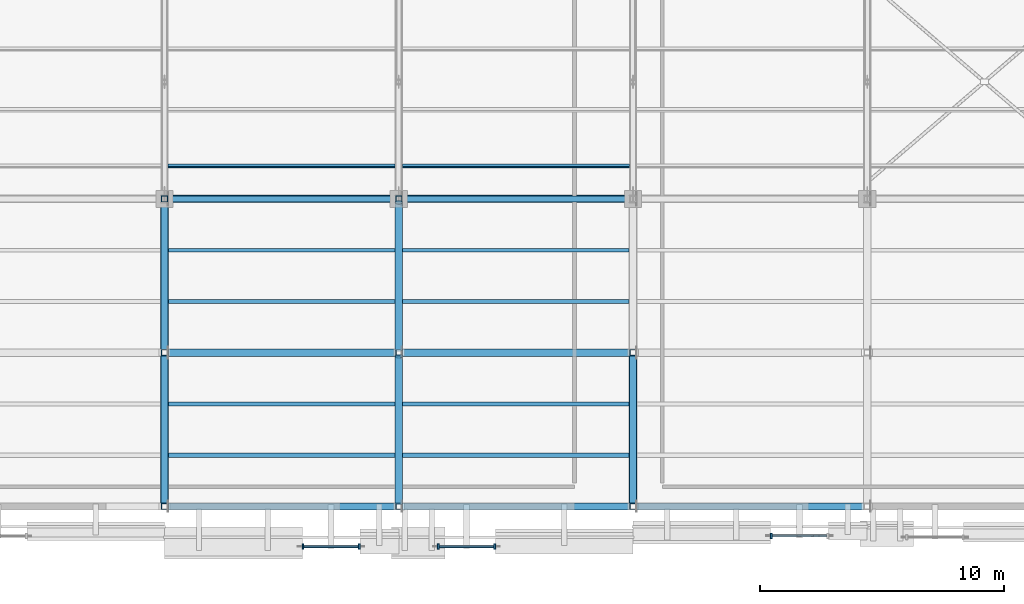
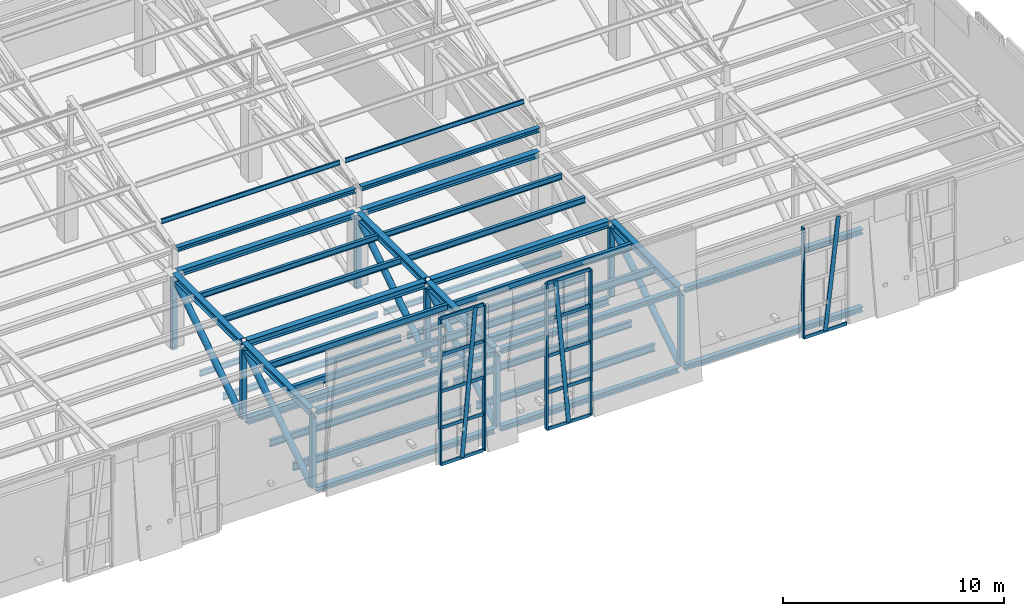
# One storey, part 15 of 71: 39 members, 30 beams, 3 elements without a shape of their own.
"""IFC4 building model written with IfcOpenShell, lengths in metres."""

from ifc_helpers import new_model, si_unit, direction, frame, origin, origin_2d, place, context, subcontext, project, spatial, rectangle, hollow_rectangle, hollow_circle, i_section, extrude, material, layer, layer_set, material_profile, profile_set, type_object, element, aggregate, save


model = new_model("IFC4")

# Units and contexts
model_context = context("Model", 3, precision=1e-05, world=origin(), true_north=direction((0.0, 1.0)))
body_context = subcontext(model_context, "Body", "Model", "MODEL_VIEW")
ifc_project = project(units=[si_unit("LENGTHUNIT", "METRE"), si_unit("AREAUNIT", "SQUARE_METRE"), si_unit("VOLUMEUNIT", "CUBIC_METRE"), si_unit("PLANEANGLEUNIT", "RADIAN"), si_unit("MASSUNIT", "GRAM", prefix="KILO")], contexts=[model_context])

# Site, building, storey
site_placement = place(None, origin())
site = spatial("IfcSite", under=ifc_project, at=site_placement, CompositionType="ELEMENT")
building_placement = place(site_placement, origin())
building = spatial("IfcBuilding", under=site, at=building_placement, Name="Bempovik Park Faculty of Sciences", CompositionType="ELEMENT")
storey_placement = place(building_placement, frame((0.0, 0.0, 14.10009765625)))
storey = spatial("IfcBuildingStorey", under=building, at=storey_placement, Name="L03", CompositionType="ELEMENT", Elevation=14.10009765625)

# Beams
ifc_material_1 = material(Name="Steel S355", Category="steel")
ifc_material_profile_1 = material_profile(ifc_material_1, i_section(OverallWidth=0.300048828125, OverallDepth=0.320068359375, WebThickness=0.011474609375, FlangeThickness=0.0205078125, at=origin_2d()), Name="HEB 320")
ifc_profile_set_1 = profile_set([ifc_material_profile_1], Name="Steel S355")
beam_type_1 = type_object("IfcBeamType", Name="B-018 HEB 320", PredefinedType="BEAM", material=ifc_profile_set_1)
beam_1_placement = place(storey_placement, frame((79.35595703125, 19.800048828125, 3.81982421875), z_axis=(1.0, 0.0, 0.0), x_axis=(0.0, 1.0, 0.0)))
element("IfcBeam", 1, at=beam_1_placement, inside=storey, type_object=beam_type_1, Name="Cantilever Collector Beam APR (79.2-88.8, y=19.8)", PredefinedType="BEAM", context=body_context, shape_type="SweptSolid", body=[
    extrude(i_section(OverallWidth=0.300048828125, OverallDepth=0.320068359375, WebThickness=0.011474609375, FlangeThickness=0.0205078125, at=origin_2d()), origin(), (0.0, 0.0, 1.0), 9.2880859375),
])
beam_2_placement = place(storey_placement, frame((88.9560546875, 19.800048828125, 3.81982421875), z_axis=(1.0, 0.0, 0.0), x_axis=(0.0, 1.0, 0.0)))
element("IfcBeam", 2, at=beam_2_placement, inside=storey, type_object=beam_type_1, Name="Cantilever Collector Beam APR (88.8-98.4, y=19.8)", PredefinedType="BEAM", context=body_context, shape_type="SweptSolid", body=[
    extrude(i_section(OverallWidth=0.300048828125, OverallDepth=0.320068359375, WebThickness=0.011474609375, FlangeThickness=0.0205078125, at=origin_2d()), origin(), (0.0, 0.0, 1.0), 9.287841796875),
])
ifc_material_profile_2 = material_profile(ifc_material_1, i_section(OverallWidth=0.239990234375, OverallDepth=0.239990234375, WebThickness=0.010009765625, FlangeThickness=0.01708984375, at=origin_2d()), Name="HEB 240")
ifc_profile_set_2 = profile_set([ifc_material_profile_2], Name="Steel S355")
beam_type_2 = type_object("IfcBeamType", Name="B-042 HEB 240", PredefinedType="BEAM", material=ifc_profile_set_2)
beam_3_placement = place(storey_placement, frame((79.35009765625, 19.800048828125, 5.14990234375), z_axis=(1.0, 0.0, 0.0), x_axis=(0.0, 1.0, 0.0)))
element("IfcBeam", 3, at=beam_3_placement, inside=storey, type_object=beam_type_2, Name="Sawtooth Valley Tie Beam V1-B1 (79.2-88.8)", PredefinedType="BEAM", context=body_context, shape_type="SweptSolid", body=[
    extrude(i_section(OverallWidth=0.239990234375, OverallDepth=0.239990234375, WebThickness=0.010009765625, FlangeThickness=0.01708984375, at=origin_2d()), origin(), (0.0, 0.0, 1.0), 9.2998046875),
])
beam_4_placement = place(storey_placement, frame((88.949951171875, 19.800048828125, 5.14990234375), z_axis=(1.0, 0.0, 0.0), x_axis=(0.0, 1.0, 0.0)))
element("IfcBeam", 4, at=beam_4_placement, inside=storey, type_object=beam_type_2, Name="Sawtooth Valley Tie Beam V1-B1 (88.8-98.4)", PredefinedType="BEAM", context=body_context, shape_type="SweptSolid", body=[
    extrude(i_section(OverallWidth=0.239990234375, OverallDepth=0.239990234375, WebThickness=0.010009765625, FlangeThickness=0.01708984375, at=origin_2d()), origin(), (0.0, 0.0, 1.0), 9.300048828125),
])
ifc_material_profile_3 = material_profile(ifc_material_1, i_section(OverallWidth=0.14990234375, OverallDepth=0.300048828125, WebThickness=0.007080078125, FlangeThickness=0.0107421875, at=origin_2d()), Name="IPE 300")
ifc_profile_set_3 = profile_set([ifc_material_profile_3], Name="Steel S355")
beam_type_3 = type_object("IfcBeamType", Name="B-043 IPE 300", PredefinedType="JOIST", material=ifc_profile_set_3)
for number, where, z_axis, x_axis, name in (
    (5, (79.35595703125, 17.699951171875, -0.4501953125), (1.0, 0.0, 0.0), (0.0, 1.0, 0.0), "Cantilever Floor Joist L03 (79.2-88.8, y=17.7)"),
    (6, (79.35595703125, 17.699951171875, 3.829833984375), (1.0, 0.0, 0.0), (0.0, 1.0, 0.0), "Cantilever Floor Joist APR (79.2-88.8, y=17.7)"),
):
    element("IfcBeam", number, at=place(storey_placement, frame(where, z_axis=z_axis, x_axis=x_axis)), inside=storey, type_object=beam_type_3, Name=name, PredefinedType="JOIST", context=body_context, shape_type="SweptSolid", body=[
        extrude(i_section(OverallWidth=0.14990234375, OverallDepth=0.300048828125, WebThickness=0.007080078125, FlangeThickness=0.0107421875, at=origin_2d()), origin(), (0.0, 0.0, 1.0), 9.2880859375),
    ])
for number, where, z_axis, x_axis, name in (
    (7, (88.9560546875, 17.699951171875, -0.4501953125), (1.0, 0.0, 0.0), (0.0, 1.0, 0.0), "Cantilever Floor Joist L03 (88.8-98.4, y=17.7)"),
    (8, (88.9560546875, 17.699951171875, 3.829833984375), (1.0, 0.0, 0.0), (0.0, 1.0, 0.0), "Cantilever Floor Joist APR (88.8-98.4, y=17.7)"),
):
    element("IfcBeam", number, at=place(storey_placement, frame(where, z_axis=z_axis, x_axis=x_axis)), inside=storey, type_object=beam_type_3, Name=name, PredefinedType="JOIST", context=body_context, shape_type="SweptSolid", body=[
        extrude(i_section(OverallWidth=0.14990234375, OverallDepth=0.300048828125, WebThickness=0.007080078125, FlangeThickness=0.0107421875, at=origin_2d()), origin(), (0.0, 0.0, 1.0), 9.287841796875),
    ])
ifc_material_profile_4 = material_profile(ifc_material_1, i_section(OverallWidth=0.300048828125, OverallDepth=0.360107421875, WebThickness=0.012451171875, FlangeThickness=0.0224609375, at=origin_2d()), Name="HEB 360")
ifc_profile_set_4 = profile_set([ifc_material_profile_4], Name="Steel S355")
beam_type_4 = type_object("IfcBeamType", Name="B-102 HEB 360", PredefinedType="BEAM", material=ifc_profile_set_4)
for number, where, z_axis, x_axis, name in (
    (9, (79.35595703125, 13.5, -0.47998046875), (1.0, 0.0, 0.0), (0.0, 1.0, 0.0), "Cantilever Collector Beam L03 (79.2-88.8, y=13.5)"),
    (10, (79.35595703125, 13.5, 3.7998046875), (1.0, 0.0, 0.0), (0.0, 1.0, 0.0), "Cantilever Collector Beam APR (79.2-88.8, y=13.5)"),
):
    element("IfcBeam", number, at=place(storey_placement, frame(where, z_axis=z_axis, x_axis=x_axis)), inside=storey, type_object=beam_type_4, Name=name, PredefinedType="BEAM", context=body_context, shape_type="SweptSolid", body=[
        extrude(i_section(OverallWidth=0.300048828125, OverallDepth=0.360107421875, WebThickness=0.012451171875, FlangeThickness=0.0224609375, at=origin_2d()), origin(), (0.0, 0.0, 1.0), 9.2880859375),
    ])
for number, where, z_axis, x_axis, name in (
    (11, (88.9560546875, 13.5, -0.47998046875), (1.0, 0.0, 0.0), (0.0, 1.0, 0.0), "Cantilever Collector Beam L03 (88.8-98.4, y=13.5)"),
    (12, (88.9560546875, 13.5, 3.7998046875), (1.0, 0.0, 0.0), (0.0, 1.0, 0.0), "Cantilever Collector Beam APR (88.8-98.4, y=13.5)"),
):
    element("IfcBeam", number, at=place(storey_placement, frame(where, z_axis=z_axis, x_axis=x_axis)), inside=storey, type_object=beam_type_4, Name=name, PredefinedType="BEAM", context=body_context, shape_type="SweptSolid", body=[
        extrude(i_section(OverallWidth=0.300048828125, OverallDepth=0.360107421875, WebThickness=0.012451171875, FlangeThickness=0.0224609375, at=origin_2d()), origin(), (0.0, 0.0, 1.0), 9.287841796875),
    ])
ifc_material_profile_5 = material_profile(ifc_material_1, i_section(OverallWidth=0.169921875, OverallDepth=0.360107421875, WebThickness=0.008056640625, FlangeThickness=0.0126953125, at=origin_2d()), Name="IPE 360")
ifc_profile_set_5 = profile_set([ifc_material_profile_5], Name="Steel S355")
beam_type_5 = type_object("IfcBeamType", Name="B-103 IPE 360", PredefinedType="JOIST", material=ifc_profile_set_5)
for number, where, z_axis, x_axis, name in (
    (13, (79.35595703125, 11.39990234375, -0.47998046875), (1.0, 0.0, 0.0), (0.0, 1.0, 0.0), "Cantilever Floor Joist L03 (79.2-88.8, y=11.4)"),
    (14, (79.35595703125, 11.39990234375, 3.7998046875), (1.0, 0.0, 0.0), (0.0, 1.0, 0.0), "Cantilever Floor Joist APR (79.2-88.8, y=11.4)"),
):
    element("IfcBeam", number, at=place(storey_placement, frame(where, z_axis=z_axis, x_axis=x_axis)), inside=storey, type_object=beam_type_5, Name=name, PredefinedType="JOIST", context=body_context, shape_type="SweptSolid", body=[
        extrude(i_section(OverallWidth=0.169921875, OverallDepth=0.360107421875, WebThickness=0.008056640625, FlangeThickness=0.0126953125, at=origin_2d()), origin(), (0.0, 0.0, 1.0), 9.2880859375),
    ])
for number, where, z_axis, x_axis, name in (
    (15, (88.9560546875, 11.39990234375, -0.47998046875), (1.0, 0.0, 0.0), (0.0, 1.0, 0.0), "Cantilever Floor Joist L03 (88.8-98.4, y=11.4)"),
    (16, (88.9560546875, 11.39990234375, 3.7998046875), (1.0, 0.0, 0.0), (0.0, 1.0, 0.0), "Cantilever Floor Joist APR (88.8-98.4, y=11.4)"),
):
    element("IfcBeam", number, at=place(storey_placement, frame(where, z_axis=z_axis, x_axis=x_axis)), inside=storey, type_object=beam_type_5, Name=name, PredefinedType="JOIST", context=body_context, shape_type="SweptSolid", body=[
        extrude(i_section(OverallWidth=0.169921875, OverallDepth=0.360107421875, WebThickness=0.008056640625, FlangeThickness=0.0126953125, at=origin_2d()), origin(), (0.0, 0.0, 1.0), 9.287841796875),
    ])
ifc_material_profile_6 = material_profile(ifc_material_1, i_section(OverallWidth=0.179931640625, OverallDepth=0.39990234375, WebThickness=0.008544921875, FlangeThickness=0.013427734375, at=origin_2d()), Name="IPE 400")
ifc_profile_set_6 = profile_set([ifc_material_profile_6], Name="Steel S355")
beam_type_6 = type_object("IfcBeamType", Name="B-111 IPE 400", PredefinedType="BEAM", material=ifc_profile_set_6)
for number, where, z_axis, x_axis, name in (
    (17, (79.35595703125, 9.300048828125, -0.5), (1.0, 0.0, 0.0), (0.0, 1.0, 0.0), "Cantilever Floor Joist L03 (79.2-88.8, y=9.3)"),
    (18, (79.35595703125, 9.300048828125, 3.77978515625), (1.0, 0.0, 0.0), (0.0, 1.0, 0.0), "Cantilever Floor Joist APR (79.2-88.8, y=9.3)"),
):
    element("IfcBeam", number, at=place(storey_placement, frame(where, z_axis=z_axis, x_axis=x_axis)), inside=storey, type_object=beam_type_6, Name=name, PredefinedType="BEAM", context=body_context, shape_type="SweptSolid", body=[
        extrude(i_section(OverallWidth=0.179931640625, OverallDepth=0.39990234375, WebThickness=0.008544921875, FlangeThickness=0.013427734375, at=origin_2d()), origin(), (0.0, 0.0, 1.0), 9.2880859375),
    ])
for number, where, z_axis, x_axis, name in (
    (19, (88.9560546875, 9.300048828125, -0.5), (1.0, 0.0, 0.0), (0.0, 1.0, 0.0), "Cantilever Floor Joist L03 (88.8-98.4, y=9.3)"),
    (20, (88.9560546875, 9.300048828125, 3.77978515625), (1.0, 0.0, 0.0), (0.0, 1.0, 0.0), "Cantilever Floor Joist APR (88.8-98.4, y=9.3)"),
):
    element("IfcBeam", number, at=place(storey_placement, frame(where, z_axis=z_axis, x_axis=x_axis)), inside=storey, type_object=beam_type_6, Name=name, PredefinedType="BEAM", context=body_context, shape_type="SweptSolid", body=[
        extrude(i_section(OverallWidth=0.179931640625, OverallDepth=0.39990234375, WebThickness=0.008544921875, FlangeThickness=0.013427734375, at=origin_2d()), origin(), (0.0, 0.0, 1.0), 9.287841796875),
    ])
ifc_material_profile_7 = material_profile(ifc_material_1, i_section(OverallWidth=0.280029296875, OverallDepth=0.280029296875, WebThickness=0.010498046875, FlangeThickness=0.01806640625, at=origin_2d()), Name="HEB 280")
ifc_profile_set_7 = profile_set([ifc_material_profile_7], Name="Steel S355")
beam_type_7 = type_object("IfcBeamType", Name="B-119 HEB 280", PredefinedType="SPANDREL", material=ifc_profile_set_7)
for number, where, z_axis, x_axis, name in (
    (21, (79.35595703125, 7.199951171875, -0.440185546875), (1.0, 0.0, 0.0), (0.0, 1.0, 0.0), "Cantilever Collector Beam L03 (79.2-88.8, y=7.2)"),
    (22, (79.35595703125, 7.199951171875, 3.83984375), (1.0, 0.0, 0.0), (0.0, 1.0, 0.0), "Cantilever Collector Beam APR (79.2-88.8, y=7.2)"),
):
    element("IfcBeam", number, at=place(storey_placement, frame(where, z_axis=z_axis, x_axis=x_axis)), inside=storey, type_object=beam_type_7, Name=name, PredefinedType="SPANDREL", context=body_context, shape_type="SweptSolid", body=[
        extrude(i_section(OverallWidth=0.280029296875, OverallDepth=0.280029296875, WebThickness=0.010498046875, FlangeThickness=0.01806640625, at=origin_2d()), origin(), (0.0, 0.0, 1.0), 9.2880859375),
    ])
for number, where, z_axis, x_axis, name in (
    (23, (88.9560546875, 7.199951171875, -0.440185546875), (1.0, 0.0, 0.0), (0.0, 1.0, 0.0), "Cantilever Collector Beam L03 (88.8-98.4, y=7.2)"),
    (24, (88.9560546875, 7.199951171875, 3.83984375), (1.0, 0.0, 0.0), (0.0, 1.0, 0.0), "Cantilever Collector Beam APR (88.8-98.4, y=7.2)"),
):
    element("IfcBeam", number, at=place(storey_placement, frame(where, z_axis=z_axis, x_axis=x_axis)), inside=storey, type_object=beam_type_7, Name=name, PredefinedType="SPANDREL", context=body_context, shape_type="SweptSolid", body=[
        extrude(i_section(OverallWidth=0.280029296875, OverallDepth=0.280029296875, WebThickness=0.010498046875, FlangeThickness=0.01806640625, at=origin_2d()), origin(), (0.0, 0.0, 1.0), 9.287841796875),
    ])
for number, where, z_axis, x_axis, name in (
    (25, (98.555908203125, 7.199951171875, -0.440185546875), (1.0, 0.0, 0.0), (0.0, 1.0, 0.0), "Cantilever Collector Beam L03 (98.4-108.0, y=7.2)"),
    (26, (98.555908203125, 7.199951171875, 3.83984375), (1.0, 0.0, 0.0), (0.0, 1.0, 0.0), "Cantilever Collector Beam APR (98.4-108.0, y=7.2)"),
):
    element("IfcBeam", number, at=place(storey_placement, frame(where, z_axis=z_axis, x_axis=x_axis)), inside=storey, type_object=beam_type_7, Name=name, PredefinedType="SPANDREL", context=body_context, shape_type="SweptSolid", body=[
        extrude(i_section(OverallWidth=0.280029296875, OverallDepth=0.280029296875, WebThickness=0.010498046875, FlangeThickness=0.01806640625, at=origin_2d()), origin(), (0.0, 0.0, 1.0), 9.2880859375),
    ])
ifc_material_profile_8 = material_profile(ifc_material_1, i_section(OverallWidth=0.159912109375, OverallDepth=0.330078125, WebThickness=0.007568359375, FlangeThickness=0.011474609375, at=origin_2d()), Name="IPE 330")
ifc_profile_set_8 = profile_set([ifc_material_profile_8], Name="Steel S355")
beam_type_8 = type_object("IfcBeamType", Name="B-126 IPE 330", PredefinedType="BEAM", material=ifc_profile_set_8)
for number, where, z_axis, x_axis, name in (
    (27, (79.35595703125, 15.60009765625, -0.465087890625), (1.0, 0.0, 0.0), (0.0, 1.0, 0.0), "Cantilever Floor Joist L03 (79.2-88.8, y=15.6)"),
    (28, (79.35595703125, 15.60009765625, 3.81494140625), (1.0, 0.0, 0.0), (0.0, 1.0, 0.0), "Cantilever Floor Joist APR (79.2-88.8, y=15.6)"),
):
    element("IfcBeam", number, at=place(storey_placement, frame(where, z_axis=z_axis, x_axis=x_axis)), inside=storey, type_object=beam_type_8, Name=name, PredefinedType="BEAM", context=body_context, shape_type="SweptSolid", body=[
        extrude(i_section(OverallWidth=0.159912109375, OverallDepth=0.330078125, WebThickness=0.007568359375, FlangeThickness=0.011474609375, at=origin_2d()), origin(), (0.0, 0.0, 1.0), 9.2880859375),
    ])
for number, where, z_axis, x_axis, name in (
    (29, (88.9560546875, 15.60009765625, -0.465087890625), (1.0, 0.0, 0.0), (0.0, 1.0, 0.0), "Cantilever Floor Joist L03 (88.8-98.4, y=15.6)"),
    (30, (88.9560546875, 15.60009765625, 3.81494140625), (1.0, 0.0, 0.0), (0.0, 1.0, 0.0), "Cantilever Floor Joist APR (88.8-98.4, y=15.6)"),
):
    element("IfcBeam", number, at=place(storey_placement, frame(where, z_axis=z_axis, x_axis=x_axis)), inside=storey, type_object=beam_type_8, Name=name, PredefinedType="BEAM", context=body_context, shape_type="SweptSolid", body=[
        extrude(i_section(OverallWidth=0.159912109375, OverallDepth=0.330078125, WebThickness=0.007568359375, FlangeThickness=0.011474609375, at=origin_2d()), origin(), (0.0, 0.0, 1.0), 9.287841796875),
    ])

# Members
ifc_material_profile_9 = material_profile(ifc_material_1, i_section(OverallWidth=0.110107421875, OverallDepth=0.219970703125, WebThickness=0.005859375, FlangeThickness=0.00927734375, at=origin_2d()), Name="IPE 220")
ifc_profile_set_9 = profile_set([ifc_material_profile_9], Name="Steel S355")
member_type_1 = type_object("IfcMemberType", Name="M-18 IPE 220", PredefinedType="PURLIN", material=ifc_profile_set_9)
member_1_placement = place(storey_placement, frame((79.345947265625, 21.14404296875, 5.847412109375), z_axis=(1.0, 0.0, 0.0), x_axis=(0.0, 0.965925826289, -0.258819045103)))
element("IfcMember", 31, at=member_1_placement, inside=storey, type_object=member_type_1, Name="Sawtooth Roof Purlin V1-B1 (79.2-88.8) #1", PredefinedType="PURLIN", context=body_context, shape_type="SweptSolid", body=[
    extrude(i_section(OverallWidth=0.110107421875, OverallDepth=0.219970703125, WebThickness=0.005859375, FlangeThickness=0.00927734375, at=origin_2d()), origin(), (0.0, 0.0, 1.0), 9.30810546875),
])
member_2_placement = place(storey_placement, frame((88.946044921875, 21.14404296875, 5.847412109375), z_axis=(1.0, 0.0, 0.0), x_axis=(0.0, 0.965925826289, -0.258819045103)))
element("IfcMember", 32, at=member_2_placement, inside=storey, type_object=member_type_1, Name="Sawtooth Roof Purlin V1-B1 (88.8-98.4) #1", PredefinedType="PURLIN", context=body_context, shape_type="SweptSolid", body=[
    extrude(i_section(OverallWidth=0.110107421875, OverallDepth=0.219970703125, WebThickness=0.005859375, FlangeThickness=0.00927734375, at=origin_2d()), origin(), (0.0, 0.0, 1.0), 9.307861328125),
])
ifc_material_profile_10 = material_profile(ifc_material_1, i_section(OverallWidth=0.300048828125, OverallDepth=0.360107421875, WebThickness=0.012451171875, FlangeThickness=0.0224609375, at=origin_2d()), Name="HEB 360")
ifc_profile_set_10 = profile_set([ifc_material_profile_10], Name="Steel S355")
member_type_2 = type_object("IfcMemberType", Name="M-23 HEB 360", PredefinedType="CHORD", material=ifc_profile_set_10)
for number, where, z_axis, x_axis, name in (
    (33, (79.199951171875, 7.33203125, 3.7998046875), (0.0, 1.0, 0.0), (-1.0, 0.0, 0.0), "Cantilever Truss 3 Top Chord 1"),
    (34, (79.199951171875, 13.632080078125, 3.7998046875), (0.0, 1.0, 0.0), (-1.0, 0.0, 0.0), "Cantilever Truss 3 Top Chord 2"),
    (35, (88.800048828125, 7.33203125, 3.7998046875), (0.0, 1.0, 0.0), (-1.0, 0.0, 0.0), "Cantilever Truss 4 Top Chord 1"),
    (36, (88.800048828125, 13.632080078125, 3.7998046875), (0.0, 1.0, 0.0), (-1.0, 0.0, 0.0), "Cantilever Truss 4 Top Chord 2"),
    (37, (98.39990234375, 7.33203125, 3.7998046875), (0.0, 1.0, 0.0), (-1.0, 0.0, 0.0), "Cantilever Truss 5 Top Chord 1"),
):
    element("IfcMember", number, at=place(storey_placement, frame(where, z_axis=z_axis, x_axis=x_axis)), inside=storey, type_object=member_type_2, Name=name, PredefinedType="CHORD", context=body_context, shape_type="SweptSolid", body=[
        extrude(i_section(OverallWidth=0.300048828125, OverallDepth=0.360107421875, WebThickness=0.012451171875, FlangeThickness=0.0224609375, at=origin_2d()), origin(), (0.0, 0.0, 1.0), 6.035888671875),
    ])
ifc_material_profile_11 = material_profile(ifc_material_1, hollow_circle(Radius=0.161865234375, WallThickness=0.01611328125, at=origin_2d()), Name="CHS 323.9x16")
ifc_profile_set_11 = profile_set([ifc_material_profile_11], Name="Steel S355")
member_type_3 = type_object("IfcMemberType", Name="M-38 CHS 323.9x16", PredefinedType="BRACE", material=ifc_profile_set_11)
for number, where, z_axis, x_axis, name in (
    (38, (79.199951171875, 7.3349609375, -0.294189453125), (0.0, 0.83916246283, 0.543880833434), (-1.0, 0.0, 0.0), "Cantilever Truss 3 L03 Diagonal 1"),
    (39, (79.199951171875, 13.635009765625, -0.294189453125), (0.0, 0.83916246283, 0.543880833434), (-1.0, 0.0, 0.0), "Cantilever Truss 3 L03 Diagonal 2"),
    (40, (88.800048828125, 7.3349609375, -0.294189453125), (0.0, 0.83916246283, 0.543880833434), (-1.0, 0.0, 0.0), "Cantilever Truss 4 L03 Diagonal 1"),
    (41, (88.800048828125, 13.635009765625, -0.294189453125), (0.0, 0.83916246283, 0.543880833434), (-1.0, 0.0, 0.0), "Cantilever Truss 4 L03 Diagonal 2"),
    (42, (98.39990234375, 7.3349609375, -0.294189453125), (0.0, 0.83916246283, 0.543880833434), (-1.0, 0.0, 0.0), "Cantilever Truss 5 L03 Diagonal 1"),
):
    element("IfcMember", number, at=place(storey_placement, frame(where, z_axis=z_axis, x_axis=x_axis)), inside=storey, type_object=member_type_3, Name=name, PredefinedType="BRACE", context=body_context, shape_type="SweptSolid", body=[
        extrude(hollow_circle(Radius=0.161865234375, WallThickness=0.01611328125, at=origin_2d()), origin(), (0.0, 0.0, 1.0), 7.185791015625),
    ])
ifc_material_profile_12 = material_profile(ifc_material_1, hollow_rectangle(XDim=0.25, YDim=0.25, WallThickness=0.012451171875, at=origin_2d()), Name="SHS 250x250x12.5")
ifc_profile_set_12 = profile_set([ifc_material_profile_12], Name="Steel S355")
member_type_4 = type_object("IfcMemberType", Name="M-64 SHS 250x250x12.5", PredefinedType="POST", material=ifc_profile_set_12)
for number, where, z_axis, x_axis, name in (
    (43, (79.199951171875, 7.199951171875, -0.294189453125), (0.0, 0.0, 1.0), (1.0, 0.0, 0.0), "Cantilever Truss 3 L03 Post 1"),
    (44, (79.199951171875, 13.5, -0.294189453125), (0.0, 0.0, 1.0), (1.0, 0.0, 0.0), "Cantilever Truss 3 L03 Post 2"),
    (45, (79.199951171875, 19.800048828125, -0.294189453125), (0.0, 0.0, 1.0), (1.0, 0.0, 0.0), "Cantilever Truss 3 L03 Post 3"),
    (46, (88.800048828125, 7.199951171875, -0.294189453125), (0.0, 0.0, 1.0), (1.0, 0.0, 0.0), "Cantilever Truss 4 L03 Post 1"),
    (47, (88.800048828125, 13.5, -0.294189453125), (0.0, 0.0, 1.0), (1.0, 0.0, 0.0), "Cantilever Truss 4 L03 Post 2"),
    (48, (88.800048828125, 19.800048828125, -0.294189453125), (0.0, 0.0, 1.0), (1.0, 0.0, 0.0), "Cantilever Truss 4 L03 Post 3"),
    (49, (98.39990234375, 7.199951171875, -0.294189453125), (0.0, 0.0, 1.0), (1.0, 0.0, 0.0), "Cantilever Truss 5 L03 Post 1"),
    (50, (98.39990234375, 13.5, -0.294189453125), (0.0, 0.0, 1.0), (1.0, 0.0, 0.0), "Cantilever Truss 5 L03 Post 2"),
):
    element("IfcMember", number, at=place(storey_placement, frame(where, z_axis=z_axis, x_axis=x_axis)), inside=storey, type_object=member_type_4, Name=name, PredefinedType="POST", context=body_context, shape_type="SweptSolid", body=[
        extrude(hollow_rectangle(XDim=0.25, YDim=0.25, WallThickness=0.012451171875, at=origin_2d()), origin(), (0.0, 0.0, 1.0), 3.908203125),
    ])

# Curtain wall, members
ifc_material_2 = material(Name="Tempered laminated low-E glass", Category="glass")
ifc_layer = layer(ifc_material_2, 0.159912109375)
ifc_layer_set = layer_set([ifc_layer], Name="Tempered laminated low-E glass")
curtain_wall_type = type_object("IfcCurtainWallType", Name="CW-33 Curtain 2400x4000", PredefinedType="USERDEFINED", material=ifc_layer_set)
curtain_wall_1_placement = place(storey_placement, origin())
curtain_wall_1 = element("IfcCurtainWall", 51, at=curtain_wall_1_placement, inside=storey, type_object=curtain_wall_type, Name="L03 Crystal Slantwise Light Fold (7.2,79.2)", ObjectType="UNITISED CURTAIN WALL", PredefinedType="USERDEFINED")
ifc_material_3 = material(Name="Anodised architectural bronze", Category="aluminium")
ifc_material_profile_13 = material_profile(ifc_material_3, rectangle(XDim=0.080078125, YDim=0.219970703125, at=origin_2d()), Name="ALU-M 80x220")
ifc_profile_set_13 = profile_set([ifc_material_profile_13], Name="Anodised architectural bronze")
member_type_5 = type_object("IfcMemberType", Name="ML-29 ALU-M 80x220", PredefinedType="MULLION", material=ifc_profile_set_13)
member_3_placement = place(storey_placement, frame((84.875, 5.552734375, -0.0400390625), z_axis=(0.0, 0.0, 1.0), x_axis=(1.0, 0.0, 0.0)))
member_3 = element("IfcMember", 52, at=member_3_placement, type_object=member_type_5, Name="CW-FOLD-L03-72-792 Mullion 0", PredefinedType="MULLION", context=body_context, shape_type="SweptSolid", body=[
    extrude(rectangle(XDim=0.080078125, YDim=0.219970703125, at=origin_2d()), origin(), (0.0, 0.0, 1.0), 8.0400390625),
])
member_4_placement = place(storey_placement, frame((86.02490234375, 5.552734375, -0.0400390625), z_axis=(0.084297449605, 0.0, 0.996440635457), x_axis=(0.0, 1.0, 0.0)))
member_4 = element("IfcMember", 53, at=member_4_placement, type_object=member_type_5, Name="CW-FOLD-L03-72-792 Mullion 1", PredefinedType="MULLION", context=body_context, shape_type="SweptSolid", body=[
    extrude(rectangle(XDim=0.080078125, YDim=0.219970703125, at=origin_2d()), origin(), (0.0, 0.0, 1.0), 8.06884765625),
])
member_5_placement = place(storey_placement, frame((87.175048828125, 5.552734375, -0.0400390625), z_axis=(0.0, 0.0, 1.0), x_axis=(1.0, 0.0, 0.0)))
member_5 = element("IfcMember", 54, at=member_5_placement, type_object=member_type_5, Name="CW-FOLD-L03-72-792 Mullion 2", PredefinedType="MULLION", context=body_context, shape_type="SweptSolid", body=[
    extrude(rectangle(XDim=0.080078125, YDim=0.219970703125, at=origin_2d()), origin(), (0.0, 0.0, 1.0), 8.0400390625),
])

curtain_wall_2_placement = place(storey_placement, origin())
curtain_wall_2 = element("IfcCurtainWall", 55, at=curtain_wall_2_placement, inside=storey, type_object=curtain_wall_type, Name="L03 Crystal Slantwise Light Fold (7.2,88.8)", ObjectType="UNITISED CURTAIN WALL", PredefinedType="USERDEFINED")
member_6_placement = place(storey_placement, frame((90.425048828125, 5.552734375, -0.0400390625), z_axis=(0.0, 0.0, 1.0), x_axis=(1.0, 0.0, 0.0)))
member_6 = element("IfcMember", 56, at=member_6_placement, type_object=member_type_5, Name="CW-FOLD-L03-72-888 Mullion 0", PredefinedType="MULLION", context=body_context, shape_type="SweptSolid", body=[
    extrude(rectangle(XDim=0.080078125, YDim=0.219970703125, at=origin_2d()), origin(), (0.0, 0.0, 1.0), 8.0400390625),
])
member_7_placement = place(storey_placement, frame((91.574951171875, 5.552734375, -0.0400390625), z_axis=(-0.084267406982, 0.0, 0.996443176564), x_axis=(0.0, -1.0, 0.0)))
member_7 = element("IfcMember", 57, at=member_7_placement, type_object=member_type_5, Name="CW-FOLD-L03-72-888 Mullion 1", PredefinedType="MULLION", context=body_context, shape_type="SweptSolid", body=[
    extrude(rectangle(XDim=0.080078125, YDim=0.219970703125, at=origin_2d()), origin(), (0.0, 0.0, 1.0), 8.06884765625),
])
member_8_placement = place(storey_placement, frame((92.72509765625, 5.552734375, -0.0400390625), z_axis=(0.0, 0.0, 1.0), x_axis=(1.0, 0.0, 0.0)))
member_8 = element("IfcMember", 58, at=member_8_placement, type_object=member_type_5, Name="CW-FOLD-L03-72-888 Mullion 2", PredefinedType="MULLION", context=body_context, shape_type="SweptSolid", body=[
    extrude(rectangle(XDim=0.080078125, YDim=0.219970703125, at=origin_2d()), origin(), (0.0, 0.0, 1.0), 8.0400390625),
])

curtain_wall_3_placement = place(storey_placement, origin())
curtain_wall_3 = element("IfcCurtainWall", 59, at=curtain_wall_3_placement, inside=storey, type_object=curtain_wall_type, Name="L03 Crystal Slantwise Light Fold (7.2,98.4)", ObjectType="UNITISED CURTAIN WALL", PredefinedType="USERDEFINED")
member_9_placement = place(storey_placement, frame((104.074951171875, 5.98779296875, -0.0400390625), z_axis=(0.0, 0.0, 1.0), x_axis=(1.0, 0.0, 0.0)))
member_9 = element("IfcMember", 60, at=member_9_placement, type_object=member_type_5, Name="CW-FOLD-L03-72-984 Mullion 0", PredefinedType="MULLION", context=body_context, shape_type="SweptSolid", body=[
    extrude(rectangle(XDim=0.080078125, YDim=0.219970703125, at=origin_2d()), origin(), (0.0, 0.0, 1.0), 6.08984375),
])
member_10_placement = place(storey_placement, frame((105.22509765625, 5.98779296875, -0.0400390625), z_axis=(0.11096063479, 0.0, 0.99382480223), x_axis=(0.0, 1.0, 0.0)))
member_10 = element("IfcMember", 61, at=member_10_placement, type_object=member_type_5, Name="CW-FOLD-L03-72-984 Mullion 1", PredefinedType="MULLION", context=body_context, shape_type="SweptSolid", body=[
    extrude(rectangle(XDim=0.080078125, YDim=0.219970703125, at=origin_2d()), origin(), (0.0, 0.0, 1.0), 6.127685546875),
])

# Member
ifc_material_profile_14 = material_profile(ifc_material_3, rectangle(XDim=0.080078125, YDim=0.179931640625, at=origin_2d()), Name="ALU-T 80x180")
ifc_profile_set_14 = profile_set([ifc_material_profile_14], Name="Anodised architectural bronze")
member_type_6 = type_object("IfcMemberType", Name="TR-29 ALU-T 80x180", PredefinedType="USERDEFINED", material=ifc_profile_set_14)
member_11_placement = place(storey_placement, frame((84.9150390625, 5.552734375, -0.0400390625), z_axis=(1.0, 0.0, 0.0), x_axis=(0.0, 1.0, 0.0)))
member_11 = element("IfcMember", 62, at=member_11_placement, type_object=member_type_6, Name="CW-FOLD-L03-72-792 Transom 0", ObjectType="TRANSOM", PredefinedType="USERDEFINED", context=body_context, shape_type="SweptSolid", body=[
    extrude(rectangle(XDim=0.080078125, YDim=0.179931640625, at=origin_2d()), origin(), (0.0, 0.0, 1.0), 2.219970703125),
])

member_12_placement = place(storey_placement, frame((84.9150390625, 5.552734375, 1.969970703125), z_axis=(1.0, 0.0, 0.0), x_axis=(0.0, 1.0, 0.0)))
member_12 = element("IfcMember", 63, at=member_12_placement, type_object=member_type_6, Name="CW-FOLD-L03-72-792 Transom 1", ObjectType="TRANSOM", PredefinedType="USERDEFINED", context=body_context, shape_type="SweptSolid", body=[
    extrude(rectangle(XDim=0.080078125, YDim=0.179931640625, at=origin_2d()), origin(), (0.0, 0.0, 1.0), 2.219970703125),
])

member_13_placement = place(storey_placement, frame((84.9150390625, 5.552734375, 3.97998046875), z_axis=(1.0, 0.0, 0.0), x_axis=(0.0, 1.0, 0.0)))
member_13 = element("IfcMember", 64, at=member_13_placement, type_object=member_type_6, Name="CW-FOLD-L03-72-792 Transom 2", ObjectType="TRANSOM", PredefinedType="USERDEFINED", context=body_context, shape_type="SweptSolid", body=[
    extrude(rectangle(XDim=0.080078125, YDim=0.179931640625, at=origin_2d()), origin(), (0.0, 0.0, 1.0), 2.219970703125),
])

member_14_placement = place(storey_placement, frame((84.9150390625, 5.552734375, 5.989990234375), z_axis=(1.0, 0.0, 0.0), x_axis=(0.0, 1.0, 0.0)))
member_14 = element("IfcMember", 65, at=member_14_placement, type_object=member_type_6, Name="CW-FOLD-L03-72-792 Transom 3", ObjectType="TRANSOM", PredefinedType="USERDEFINED", context=body_context, shape_type="SweptSolid", body=[
    extrude(rectangle(XDim=0.080078125, YDim=0.179931640625, at=origin_2d()), origin(), (0.0, 0.0, 1.0), 2.219970703125),
])

member_15_placement = place(storey_placement, frame((84.9150390625, 5.552734375, 8.0), z_axis=(1.0, 0.0, 0.0), x_axis=(0.0, 1.0, 0.0)))
member_15 = element("IfcMember", 66, at=member_15_placement, type_object=member_type_6, Name="CW-FOLD-L03-72-792 Transom 4", ObjectType="TRANSOM", PredefinedType="USERDEFINED", context=body_context, shape_type="SweptSolid", body=[
    extrude(rectangle(XDim=0.080078125, YDim=0.179931640625, at=origin_2d()), origin(), (0.0, 0.0, 1.0), 2.219970703125),
])

aggregate(curtain_wall_1, [member_3, member_4, member_5, member_11, member_12, member_13, member_14, member_15])

member_16_placement = place(storey_placement, frame((90.465087890625, 5.552734375, -0.0400390625), z_axis=(1.0, 0.0, 0.0), x_axis=(0.0, 1.0, 0.0)))
member_16 = element("IfcMember", 67, at=member_16_placement, type_object=member_type_6, Name="CW-FOLD-L03-72-888 Transom 0", ObjectType="TRANSOM", PredefinedType="USERDEFINED", context=body_context, shape_type="SweptSolid", body=[
    extrude(rectangle(XDim=0.080078125, YDim=0.179931640625, at=origin_2d()), origin(), (0.0, 0.0, 1.0), 2.219970703125),
])

member_17_placement = place(storey_placement, frame((90.465087890625, 5.552734375, 1.969970703125), z_axis=(1.0, 0.0, 0.0), x_axis=(0.0, 1.0, 0.0)))
member_17 = element("IfcMember", 68, at=member_17_placement, type_object=member_type_6, Name="CW-FOLD-L03-72-888 Transom 1", ObjectType="TRANSOM", PredefinedType="USERDEFINED", context=body_context, shape_type="SweptSolid", body=[
    extrude(rectangle(XDim=0.080078125, YDim=0.179931640625, at=origin_2d()), origin(), (0.0, 0.0, 1.0), 2.219970703125),
])

member_18_placement = place(storey_placement, frame((90.465087890625, 5.552734375, 3.97998046875), z_axis=(1.0, 0.0, 0.0), x_axis=(0.0, 1.0, 0.0)))
member_18 = element("IfcMember", 69, at=member_18_placement, type_object=member_type_6, Name="CW-FOLD-L03-72-888 Transom 2", ObjectType="TRANSOM", PredefinedType="USERDEFINED", context=body_context, shape_type="SweptSolid", body=[
    extrude(rectangle(XDim=0.080078125, YDim=0.179931640625, at=origin_2d()), origin(), (0.0, 0.0, 1.0), 2.219970703125),
])

member_19_placement = place(storey_placement, frame((90.465087890625, 5.552734375, 5.989990234375), z_axis=(1.0, 0.0, 0.0), x_axis=(0.0, 1.0, 0.0)))
member_19 = element("IfcMember", 70, at=member_19_placement, type_object=member_type_6, Name="CW-FOLD-L03-72-888 Transom 3", ObjectType="TRANSOM", PredefinedType="USERDEFINED", context=body_context, shape_type="SweptSolid", body=[
    extrude(rectangle(XDim=0.080078125, YDim=0.179931640625, at=origin_2d()), origin(), (0.0, 0.0, 1.0), 2.219970703125),
])

member_20_placement = place(storey_placement, frame((90.465087890625, 5.552734375, 8.0), z_axis=(1.0, 0.0, 0.0), x_axis=(0.0, 1.0, 0.0)))
member_20 = element("IfcMember", 71, at=member_20_placement, type_object=member_type_6, Name="CW-FOLD-L03-72-888 Transom 4", ObjectType="TRANSOM", PredefinedType="USERDEFINED", context=body_context, shape_type="SweptSolid", body=[
    extrude(rectangle(XDim=0.080078125, YDim=0.179931640625, at=origin_2d()), origin(), (0.0, 0.0, 1.0), 2.219970703125),
])

aggregate(curtain_wall_2, [member_6, member_7, member_8, member_16, member_17, member_18, member_19, member_20])

member_21_placement = place(storey_placement, frame((104.114990234375, 5.98779296875, -0.0400390625), z_axis=(1.0, 0.0, 0.0), x_axis=(0.0, 1.0, 0.0)))
member_21 = element("IfcMember", 72, at=member_21_placement, type_object=member_type_6, Name="CW-FOLD-L03-72-984 Transom 0", ObjectType="TRANSOM", PredefinedType="USERDEFINED", context=body_context, shape_type="SweptSolid", body=[
    extrude(rectangle(XDim=0.080078125, YDim=0.179931640625, at=origin_2d()), origin(), (0.0, 0.0, 1.0), 2.219970703125),
])

aggregate(curtain_wall_3, [member_9, member_10, member_21])

save(model, "model.ifc")
